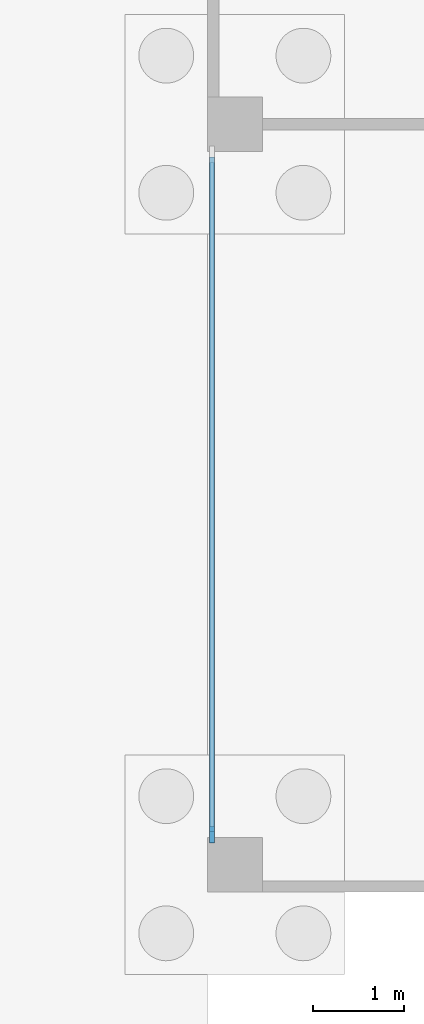
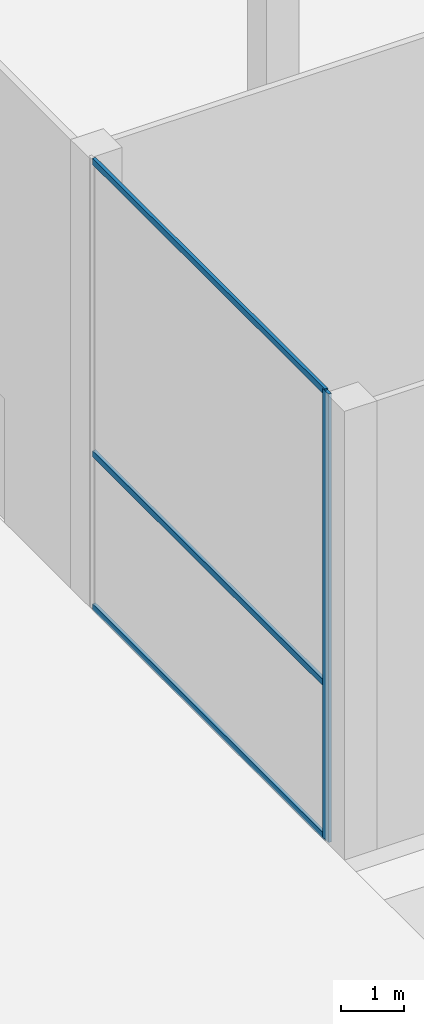
# One storey, part 16 of 72: 4 members, 1 element without a shape of its own.
"""IFC4 building model written with IfcOpenShell, lengths in metres."""

import ifcopenshell
import ifcopenshell.guid

model = None  # the IFC model being written
_history = None  # IfcOwnerHistory: only IFC2X3 demands one
_inside = {}  # id of a spatial element -> (the spatial element, [elements in it])
_under = {}  # id of a project, library or spatial element -> (it, [spatial elements below it])
_declared = {}  # id of a project -> (the project, [libraries it declares])
_typed = {}  # id of a type object -> (the type object, [elements of that type])
_made_of = {}  # id of a material, layer set ... -> (it, [elements and type objects made of it])


def new_model(schema):
    """Start an empty IFC model of exactly this schema.

    Asked for "IFC4X3", IfcOpenShell would pick the latest addendum, in which some entities
    have other attributes; the version numbers below select the first issue.
    IFC2X3 requires an IfcOwnerHistory on every rooted entity: one is made here for all.
    """
    global model, _history
    if schema == "IFC4X3":
        model = ifcopenshell.file(schema_version=(4, 3, 0, 0))
    else:
        model = ifcopenshell.file(schema=schema)
    _inside.clear()
    _under.clear()
    _declared.clear()
    _typed.clear()
    _made_of.clear()
    _history = None
    if model.schema == "IFC2X3":
        org = make("IfcOrganization", Name="unknown")
        user = make(
            "IfcPersonAndOrganization",
            ThePerson=make("IfcPerson", FamilyName="unknown"),
            TheOrganization=org,
        )
        app = make(
            "IfcApplication",
            ApplicationDeveloper=org,
            Version="unknown",
            ApplicationFullName="unknown",
            ApplicationIdentifier="unknown",
        )
        _history = make(
            "IfcOwnerHistory",
            OwningUser=user,
            OwningApplication=app,
            ChangeAction="ADDED",
            CreationDate=0,
        )
    return model


def make(cls, **values):
    """One entity of the class cls with the attributes given. An attribute that is None is left unset."""
    return model.create_entity(
        cls, **{name: value for name, value in values.items() if value is not None}
    )


def rooted(cls, **values):
    """An entity with a GlobalId (a new one), such as an element, a storey or a relation."""
    return make(cls, GlobalId=ifcopenshell.guid.new(), OwnerHistory=_history, **values)


def si_unit(unit_type, name, prefix=None):
    """IfcSIUnit, for example si_unit("LENGTHUNIT", "METRE", prefix="MILLI")."""
    return make("IfcSIUnit", UnitType=unit_type, Prefix=prefix, Name=name)


def assignment(units):
    """IfcUnitAssignment: the units of a project."""
    return None if units is None else make("IfcUnitAssignment", Units=units)


def point(xyz):
    """IfcCartesianPoint."""
    return None if xyz is None else make("IfcCartesianPoint", Coordinates=xyz)


def direction(xyz):
    """IfcDirection."""
    return None if xyz is None else make("IfcDirection", DirectionRatios=xyz)


def frame(location, z_axis=None, x_axis=None):
    """IfcAxis2Placement3D, a coordinate frame: its origin and axes. An axis left out is left unset."""
    return make(
        "IfcAxis2Placement3D",
        Location=point(location),
        Axis=direction(z_axis),
        RefDirection=direction(x_axis),
    )


def frame_2d(location, x_axis=None):
    """IfcAxis2Placement2D, a coordinate frame in the plane: its origin and x axis."""
    return make(
        "IfcAxis2Placement2D", Location=point(location), RefDirection=direction(x_axis)
    )


def origin():
    """The frame at (0, 0, 0) with its axes left unset."""
    return frame((0.0, 0.0, 0.0))


def origin_2d():
    """The frame at (0, 0) in the plane with its x axis left unset."""
    return frame_2d((0.0, 0.0))


def place(relative_to, where):
    """IfcLocalPlacement: puts the frame where relative to a parent placement (None: the world)."""
    return make(
        "IfcLocalPlacement", PlacementRelTo=relative_to, RelativePlacement=where
    )


def context(
    kind, dimensions, precision=None, world=None, true_north=None, identifier=None
):
    """IfcGeometricRepresentationContext, for example the 3D "Model" context."""
    return make(
        "IfcGeometricRepresentationContext",
        ContextIdentifier=identifier,
        ContextType=kind,
        CoordinateSpaceDimension=dimensions,
        Precision=precision,
        WorldCoordinateSystem=world,
        TrueNorth=true_north,
    )


def subcontext(parent, identifier, kind, view, scale=None):
    """IfcGeometricRepresentationSubContext, for example "Body" below "Model"."""
    return make(
        "IfcGeometricRepresentationSubContext",
        ContextIdentifier=identifier,
        ContextType=kind,
        ParentContext=parent,
        TargetScale=scale,
        TargetView=view,
    )


def project(units=None, contexts=None):
    """IfcProject with its units and contexts."""
    return rooted(
        "IfcProject",
        Name="project",
        RepresentationContexts=contexts,
        UnitsInContext=assignment(units),
    )


def spatial(cls, under=None, at=None, **own):
    """A site, building, storey or space (cls), placed at a placement, below another one or the project."""
    s = rooted(cls, ObjectPlacement=at, **own)
    if under is not None:
        _under.setdefault(under.id(), (under, []))[1].append(s)
    return s


def profile(cls, at=None, kind="AREA", **sizes):
    """A parametric profile (cls). Its sizes go by their IFC names, for example OverallWidth=200.0."""
    return make(cls, ProfileType=kind, Position=at, **sizes)


def rectangle(**sizes):
    """IfcRectangleProfileDef."""
    return profile("IfcRectangleProfileDef", **sizes)


def extrude(swept, where, along, depth):
    """IfcExtrudedAreaSolid: the profile swept, set in the frame where, extruded along a direction by depth."""
    return make(
        "IfcExtrudedAreaSolid",
        SweptArea=swept,
        Position=where,
        ExtrudedDirection=direction(along),
        Depth=depth,
    )


def shape(context_of_items, identifier, shape_type, items):
    """IfcShapeRepresentation: the items that make up one representation, for example the "Body"."""
    return make(
        "IfcShapeRepresentation",
        ContextOfItems=context_of_items,
        RepresentationIdentifier=identifier,
        RepresentationType=shape_type,
        Items=items,
    )


def material(Name=None, Category=None):
    """IfcMaterial."""
    return make("IfcMaterial", Name=Name, Category=Category)


def material_profile(
    of_material, cross_section, Name=None, Category=None, Priority=None
):
    """IfcMaterialProfile: a cross section and its material."""
    return make(
        "IfcMaterialProfile",
        Name=Name,
        Material=of_material,
        Profile=cross_section,
        Priority=Priority,
        Category=Category,
    )


def profile_set(profiles, Name=None, composite=None):
    """IfcMaterialProfileSet."""
    return make(
        "IfcMaterialProfileSet",
        Name=Name,
        MaterialProfiles=profiles,
        CompositeProfile=composite,
    )


def made_of(thing, what):
    """Note that an element or type object is made of a material, layer set ...; save() writes the relation."""
    if what is not None:
        _made_of.setdefault(what.id(), (what, []))[1].append(thing)
    return thing


def type_object(cls, material=None, **own):
    """A type object (cls), such as IfcWallType, which elements share."""
    return made_of(rooted(cls, **own), material)


def element(
    cls,
    number,
    at=None,
    inside=None,
    cuts=None,
    type_object=None,
    material=None,
    context=None,
    identifier="Body",
    shape_type=None,
    held_by="IfcProductDefinitionShape",
    body=None,
    shapes=None,
    **own,
):
    """One element of the class cls, such as IfcWall. Its Tag is "e" and its number.

    at: its placement. inside: the storey or other place that contains it. cuts: it is an
    opening in that element (IfcRelVoidsElement). A single representation is given by context,
    identifier, shape_type and body (its items); several are given by shapes. held_by: the class
    of the entity that holds the representations. save() writes the other relations.
    """
    e = rooted(cls, Tag="e%d" % number, ObjectPlacement=at, **own)
    if body is not None:
        shapes = [shape(context, identifier, shape_type, body)]
    if shapes is not None:
        e.Representation = make(held_by, Representations=shapes)
    if inside is not None:
        _inside.setdefault(inside.id(), (inside, []))[1].append(e)
    if cuts is not None:
        rooted(
            "IfcRelVoidsElement", RelatingBuildingElement=cuts, RelatedOpeningElement=e
        )
    if type_object is not None:
        _typed.setdefault(type_object.id(), (type_object, []))[1].append(e)
    return made_of(e, material)


def aggregate(whole, parts):
    """IfcRelAggregates: a whole, such as a stair, and the parts it consists of."""
    return rooted("IfcRelAggregates", RelatingObject=whole, RelatedObjects=parts)


def save(model, path):
    """Write the relations noted so far, then the file.

    IfcRelAggregates (storeys below a building ...), IfcRelContainedInSpatialStructure (elements
    in a storey), IfcRelDefinesByType, IfcRelAssociatesMaterial and IfcRelDeclares: one each for
    every whole, place, type object, material and project.
    """
    for whole, parts in _under.values():
        aggregate(whole, parts)
    for where, things in _inside.values():
        rooted(
            "IfcRelContainedInSpatialStructure",
            RelatedElements=things,
            RelatingStructure=where,
        )
    for kind, things in _typed.values():
        rooted("IfcRelDefinesByType", RelatedObjects=things, RelatingType=kind)
    for what, things in _made_of.values():
        rooted("IfcRelAssociatesMaterial", RelatedObjects=things, RelatingMaterial=what)
    for by, libraries in _declared.values():
        rooted("IfcRelDeclares", RelatingContext=by, RelatedDefinitions=libraries)
    model.write(path)


model = new_model("IFC4")

# Units and contexts
model_context = context("Model", 3, precision=1e-05, world=origin(), true_north=direction((0.0, 1.0)))
body_context = subcontext(model_context, "Body", "Model", "MODEL_VIEW")
ifc_project = project(units=[si_unit("LENGTHUNIT", "METRE"), si_unit("AREAUNIT", "SQUARE_METRE"), si_unit("VOLUMEUNIT", "CUBIC_METRE"), si_unit("PLANEANGLEUNIT", "RADIAN"), si_unit("MASSUNIT", "GRAM", prefix="KILO")], contexts=[model_context])

# Site, building, storey
site_placement = place(None, origin())
site = spatial("IfcSite", under=ifc_project, at=site_placement, CompositionType="ELEMENT")
building_placement = place(site_placement, origin())
building = spatial("IfcBuilding", under=site, at=building_placement, Name="Candeia Pilgrim Tower and Theatre", CompositionType="ELEMENT")
storey_placement = place(building_placement, origin())
storey = spatial("IfcBuildingStorey", under=building, at=storey_placement, Name="L00", CompositionType="ELEMENT", Elevation=0.0)

# Curtain wall, members
ifc_material_1 = material(Name="Aluminium curtain wall system", Category="aluminium")
curtain_wall_type = type_object("IfcCurtainWallType", Name="Curtain wall CW-T", PredefinedType="NOTDEFINED", material=ifc_material_1)
curtain_wall_placement = place(storey_placement, origin())
curtain_wall = element("IfcCurtainWall", 1, at=curtain_wall_placement, inside=storey, type_object=curtain_wall_type, Name="Foyer curtain wall L00 1", PredefinedType="NOTDEFINED")
ifc_material_2 = material(Name="Aluminium 6063-T6", Category="aluminium")
ifc_material_profile_1 = material_profile(ifc_material_2, rectangle(XDim=0.06005859375, YDim=0.179931640625, at=origin_2d()))
ifc_profile_set_1 = profile_set([ifc_material_profile_1], Name="Aluminium 6063-T6")
member_type_1 = type_object("IfcMemberType", Name="Mullion CW-T 60x180", PredefinedType="MULLION", material=ifc_profile_set_1)
member_1_placement = place(storey_placement, frame((176.050048828125, 66.6298828125, 0.0), z_axis=(0.0, 0.0, 1.0), x_axis=(-1.0, 0.0, 0.0)))
member_1 = element("IfcMember", 2, at=member_1_placement, type_object=member_type_1, Name="CW-T mullion 1", PredefinedType="MULLION", context=body_context, shape_type="SweptSolid", body=[
    extrude(rectangle(XDim=0.06005859375, YDim=0.179931640625, at=origin_2d()), origin(), (0.0, 0.0, 1.0), 8.699951171875),
])
ifc_material_profile_2 = material_profile(ifc_material_2, rectangle(XDim=0.06005859375, YDim=0.1201171875, at=origin_2d()))
ifc_profile_set_2 = profile_set([ifc_material_profile_2], Name="Aluminium 6063-T6")
member_type_2 = type_object("IfcMemberType", Name="Transom CW-T 60x120", PredefinedType="USERDEFINED", material=ifc_profile_set_2)
member_2_placement = place(storey_placement, frame((176.050048828125, 66.659912109375, 0.030029296875), z_axis=(0.0, 1.0, 0.0), x_axis=(-1.0, 0.0, 0.0)))
member_2 = element("IfcMember", 3, at=member_2_placement, type_object=member_type_2, Name="CW-T transom 1.1", ObjectType="TRANSOM", PredefinedType="USERDEFINED", context=body_context, shape_type="SweptSolid", body=[
    extrude(rectangle(XDim=0.06005859375, YDim=0.1201171875, at=origin_2d()), origin(), (0.0, 0.0, 1.0), 7.380126953125),
])
member_3_placement = place(storey_placement, frame((176.050048828125, 66.659912109375, 3.0), z_axis=(0.0, 1.0, 0.0), x_axis=(-1.0, 0.0, 0.0)))
member_3 = element("IfcMember", 4, at=member_3_placement, type_object=member_type_2, Name="CW-T transom 1.2", ObjectType="TRANSOM", PredefinedType="USERDEFINED", context=body_context, shape_type="SweptSolid", body=[
    extrude(rectangle(XDim=0.06005859375, YDim=0.1201171875, at=origin_2d()), origin(), (0.0, 0.0, 1.0), 7.380126953125),
])
member_4_placement = place(storey_placement, frame((176.050048828125, 66.659912109375, 8.669921875), z_axis=(0.0, 1.0, 0.0), x_axis=(-1.0, 0.0, 0.0)))
member_4 = element("IfcMember", 5, at=member_4_placement, type_object=member_type_2, Name="CW-T transom 1.3", ObjectType="TRANSOM", PredefinedType="USERDEFINED", context=body_context, shape_type="SweptSolid", body=[
    extrude(rectangle(XDim=0.06005859375, YDim=0.1201171875, at=origin_2d()), origin(), (0.0, 0.0, 1.0), 7.380126953125),
])
aggregate(curtain_wall, [member_1, member_2, member_3, member_4])

save(model, "model.ifc")
